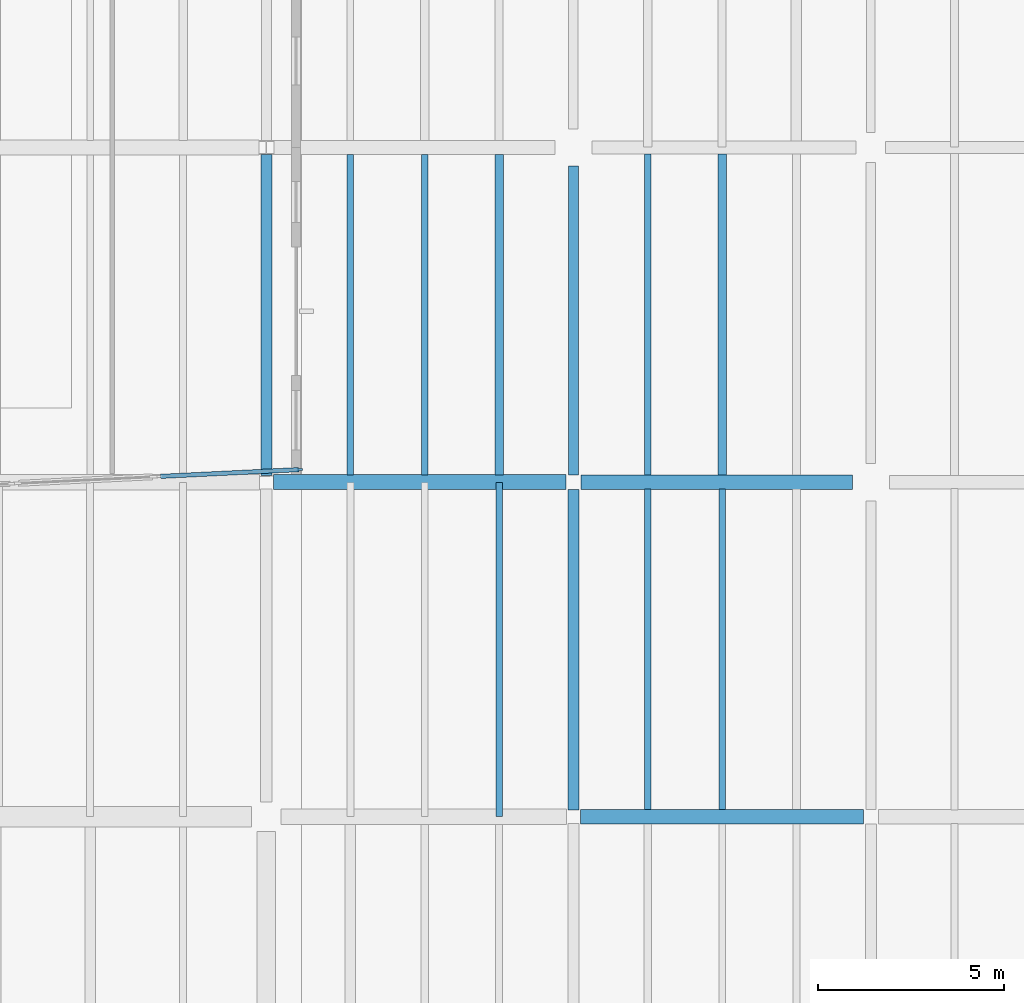
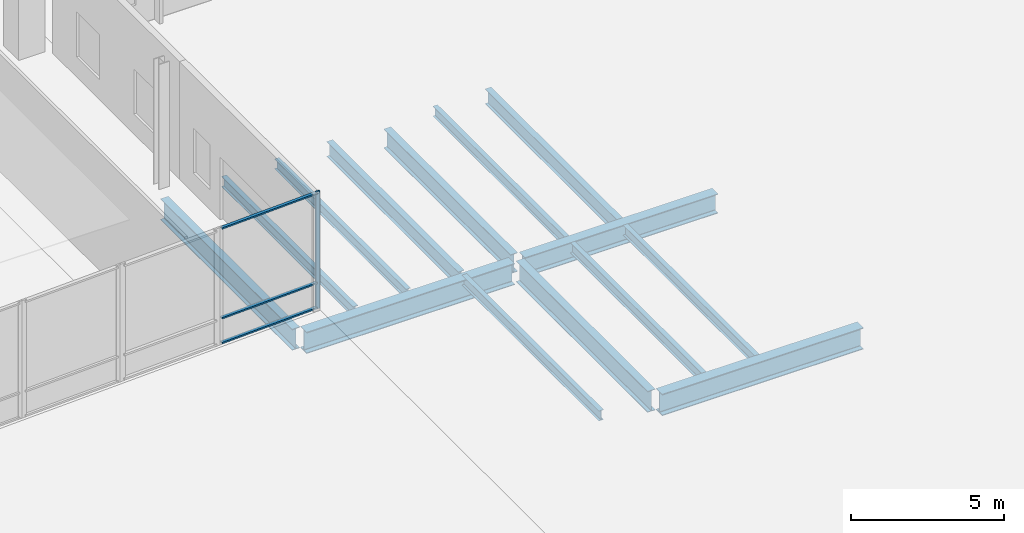
# One storey, part 31 of 88: 14 beams, 4 members, 1 element without a shape of its own.
"""IFC4 building model written with IfcOpenShell, lengths in metres."""

from ifc_helpers import new_model, si_unit, direction, frame, origin, origin_2d, place, context, subcontext, project, spatial, rectangle, i_section, extrude, material, material_profile, profile_set, type_object, element, aggregate, save


model = new_model("IFC4")

# Units and contexts
model_context = context("Model", 3, precision=1e-05, world=origin(), true_north=direction((0.0, 1.0)))
body_context = subcontext(model_context, "Body", "Model", "MODEL_VIEW")
ifc_project = project(units=[si_unit("LENGTHUNIT", "METRE"), si_unit("AREAUNIT", "SQUARE_METRE"), si_unit("VOLUMEUNIT", "CUBIC_METRE"), si_unit("PLANEANGLEUNIT", "RADIAN"), si_unit("MASSUNIT", "GRAM", prefix="KILO")], contexts=[model_context])

# Site, building, storey
site_placement = place(None, origin())
site = spatial("IfcSite", under=ifc_project, at=site_placement, CompositionType="ELEMENT")
building_placement = place(site_placement, origin())
building = spatial("IfcBuilding", under=site, at=building_placement, Name="Trimount Lyric Opera House", CompositionType="ELEMENT")
storey_placement = place(building_placement, origin())
storey = spatial("IfcBuildingStorey", under=building, at=storey_placement, Name="L00", CompositionType="ELEMENT", Elevation=0.0)

# Beams
ifc_material_1 = material(Name="Steel ASTM A992 Grade 50", Category="steel")
ifc_material_profile_1 = material_profile(ifc_material_1, i_section(OverallWidth=0.40087890625, OverallDepth=0.861083984375, WebThickness=0.019775390625, FlangeThickness=0.032470703125, FilletRadius=0.02001953125, at=origin_2d()), Name="W33X221")
ifc_profile_set_1 = profile_set([ifc_material_profile_1], Name="Steel ASTM A992 Grade 50")
beam_type_1 = type_object("IfcBeamType", Name="B-04", PredefinedType="BEAM", material=ifc_profile_set_1)
beam_1_placement = place(storey_placement, frame((122.1865234375, 17.0, -0.73046875), z_axis=(1.0, 0.0, 0.0), x_axis=(0.0, 1.0, 0.0)))
element("IfcBeam", 1, at=beam_1_placement, inside=storey, type_object=beam_type_1, Name="L00 girder X-0048", PredefinedType="BEAM", context=body_context, shape_type="SweptSolid", body=[
    extrude(i_section(OverallWidth=0.40087890625, OverallDepth=0.861083984375, WebThickness=0.019775390625, FlangeThickness=0.032470703125, FilletRadius=0.02001953125, at=origin_2d()), origin(), (0.0, 0.0, 1.0), 7.614013671875),
])
beam_2_placement = place(storey_placement, frame((113.926513671875, 26.0, -0.810546875), z_axis=(1.0, 0.0, 0.0), x_axis=(0.0, 1.0, 0.0)))
element("IfcBeam", 2, at=beam_2_placement, inside=storey, type_object=beam_type_1, Name="L00 girder X-0062", PredefinedType="BEAM", context=body_context, shape_type="SweptSolid", body=[
    extrude(i_section(OverallWidth=0.40087890625, OverallDepth=0.861083984375, WebThickness=0.019775390625, FlangeThickness=0.032470703125, FilletRadius=0.02001953125, at=origin_2d()), origin(), (0.0, 0.0, 1.0), 7.8740234375),
])
ifc_material_2 = material(Name="Steel ASTM A992 Grade 50", Category="steel")
ifc_material_profile_2 = material_profile(ifc_material_2, i_section(OverallWidth=0.2919921875, OverallDepth=0.845947265625, WebThickness=0.015380859375, FlangeThickness=0.0244140625, FilletRadius=0.01806640625, at=origin_2d()), Name="W33X141")
ifc_profile_set_2 = profile_set([ifc_material_profile_2], Name="Steel ASTM A992 Grade 50")
beam_type_2 = type_object("IfcBeamType", Name="B-05", PredefinedType="BEAM", material=ifc_profile_set_2)
for number, where, z_axis, x_axis, name in (
    (3, (113.739990234375, 26.18408203125, -0.802978515625), (0.0, 1.0, 0.0), (-1.0, 0.0, 0.0), "L00 girder Y-0372"),
    (4, (122.0, 17.18408203125, -0.722900390625), (0.0, 1.0, 0.0), (-1.0, 0.0, 0.0), "L00 girder Y-0383"),
):
    element("IfcBeam", number, at=place(storey_placement, frame(where, z_axis=z_axis, x_axis=x_axis)), inside=storey, type_object=beam_type_2, Name=name, PredefinedType="BEAM", context=body_context, shape_type="SweptSolid", body=[
        extrude(i_section(OverallWidth=0.2919921875, OverallDepth=0.845947265625, WebThickness=0.015380859375, FlangeThickness=0.0244140625, FilletRadius=0.01806640625, at=origin_2d()), origin(), (0.0, 0.0, 1.0), 8.622802734375),
    ])
ifc_material_3 = material(Name="Steel ASTM A992 Grade 50", Category="steel")
ifc_material_profile_3 = material_profile(ifc_material_3, i_section(OverallWidth=0.382080078125, OverallDepth=0.779052734375, WebThickness=0.01806640625, FlangeThickness=0.0302734375, FilletRadius=0.01904296875, at=origin_2d()), Name="W30X191")
ifc_profile_set_3 = profile_set([ifc_material_profile_3], Name="Steel ASTM A992 Grade 50")
beam_type_3 = type_object("IfcBeamType", Name="B-06", PredefinedType="BEAM", material=ifc_profile_set_3)
beam_3_placement = place(storey_placement, frame((122.199462890625, 26.0, -0.689453125), z_axis=(1.0, 0.0, 0.0), x_axis=(0.0, 1.0, 0.0)))
element("IfcBeam", 5, at=beam_3_placement, inside=storey, type_object=beam_type_3, Name="L00 girder X-0063", PredefinedType="BEAM", context=body_context, shape_type="SweptSolid", body=[
    extrude(i_section(OverallWidth=0.382080078125, OverallDepth=0.779052734375, WebThickness=0.01806640625, FlangeThickness=0.0302734375, FilletRadius=0.01904296875, at=origin_2d()), origin(), (0.0, 0.0, 1.0), 7.300537109375),
])
ifc_material_4 = material(Name="Steel ASTM A992 Grade 50", Category="steel")
ifc_material_profile_4 = material_profile(ifc_material_4, i_section(OverallWidth=0.26708984375, OverallDepth=0.761962890625, WebThickness=0.014404296875, FlangeThickness=0.021484375, FilletRadius=0.01708984375, at=origin_2d()), Name="W30X116")
ifc_profile_set_4 = profile_set([ifc_material_profile_4], Name="Steel ASTM A992 Grade 50")
beam_type_4 = type_object("IfcBeamType", Name="B-07", PredefinedType="BEAM", material=ifc_profile_set_4)
beam_4_placement = place(storey_placement, frame((122.0, 26.193115234375, -0.680908203125), z_axis=(0.0, 1.0, 0.0), x_axis=(-1.0, 0.0, 0.0)))
element("IfcBeam", 6, at=beam_4_placement, inside=storey, type_object=beam_type_4, Name="L00 girder Y-0384", PredefinedType="BEAM", context=body_context, shape_type="SweptSolid", body=[
    extrude(i_section(OverallWidth=0.26708984375, OverallDepth=0.761962890625, WebThickness=0.014404296875, FlangeThickness=0.021484375, FilletRadius=0.01708984375, at=origin_2d()), origin(), (0.0, 0.0, 1.0), 8.306884765625),
])
ifc_material_5 = material(Name="Steel ASTM A992 Grade 50", Category="steel")
ifc_material_profile_5 = material_profile(ifc_material_5, i_section(OverallWidth=0.22802734375, OverallDepth=0.60205078125, WebThickness=0.010498046875, FlangeThickness=0.014892578125, FilletRadius=0.012939453125, at=origin_2d()), Name="W24X68")
ifc_profile_set_5 = profile_set([ifc_material_profile_5], Name="Steel ASTM A992 Grade 50")
beam_type_5 = type_object("IfcBeamType", Name="J-01", PredefinedType="BEAM", material=ifc_profile_set_5)
beam_5_placement = place(storey_placement, frame((120.0, 26.196533203125, -0.60107421875), z_axis=(0.0, 1.0, 0.0), x_axis=(-1.0, 0.0, 0.0)))
element("IfcBeam", 7, at=beam_5_placement, inside=storey, type_object=beam_type_5, Name="L00 composite floor joist 0347", PredefinedType="BEAM", context=body_context, shape_type="SweptSolid", body=[
    extrude(i_section(OverallWidth=0.22802734375, OverallDepth=0.60205078125, WebThickness=0.010498046875, FlangeThickness=0.014892578125, FilletRadius=0.012939453125, at=origin_2d()), origin(), (0.0, 0.0, 1.0), 8.616455078125),
])
beam_6_placement = place(storey_placement, frame((126.0, 26.18701171875, -0.60107421875), z_axis=(0.0, 1.0, 0.0), x_axis=(-1.0, 0.0, 0.0)))
element("IfcBeam", 8, at=beam_6_placement, inside=storey, type_object=beam_type_5, Name="L00 composite floor joist 0379", PredefinedType="BEAM", context=body_context, shape_type="SweptSolid", body=[
    extrude(i_section(OverallWidth=0.22802734375, OverallDepth=0.60205078125, WebThickness=0.010498046875, FlangeThickness=0.014892578125, FilletRadius=0.012939453125, at=origin_2d()), origin(), (0.0, 0.0, 1.0), 8.638916015625),
])
ifc_material_6 = material(Name="Steel ASTM A992 Grade 50", Category="steel")
ifc_material_profile_6 = material_profile(ifc_material_6, i_section(OverallWidth=0.180908203125, OverallDepth=0.4169921875, WebThickness=0.010986328125, FlangeThickness=0.018310546875, FilletRadius=0.010986328125, at=origin_2d()), Name="W16X57")
ifc_profile_set_6 = profile_set([ifc_material_profile_6], Name="Steel ASTM A992 Grade 50")
beam_type_6 = type_object("IfcBeamType", Name="J-05", PredefinedType="BEAM", material=ifc_profile_set_6)
for number, where, z_axis, x_axis, name in (
    (9, (116.0, 26.196533203125, -0.508544921875), (0.0, 1.0, 0.0), (-1.0, 0.0, 0.0), "L00 composite floor joist 0345"),
    (10, (124.0, 17.196533203125, -0.508544921875), (0.0, 1.0, 0.0), (-1.0, 0.0, 0.0), "L00 composite floor joist 0375"),
):
    element("IfcBeam", number, at=place(storey_placement, frame(where, z_axis=z_axis, x_axis=x_axis)), inside=storey, type_object=beam_type_6, Name=name, PredefinedType="BEAM", context=body_context, shape_type="SweptSolid", body=[
        extrude(i_section(OverallWidth=0.180908203125, OverallDepth=0.4169921875, WebThickness=0.010986328125, FlangeThickness=0.018310546875, FilletRadius=0.010986328125, at=origin_2d()), origin(), (0.0, 0.0, 1.0), 8.616455078125),
    ])
ifc_material_7 = material(Name="Steel ASTM A992 Grade 50", Category="steel")
ifc_material_profile_7 = material_profile(ifc_material_7, i_section(OverallWidth=0.177978515625, OverallDepth=0.404052734375, WebThickness=0.007568359375, FlangeThickness=0.010986328125, FilletRadius=0.010009765625, at=origin_2d()), Name="W16X36")
ifc_profile_set_7 = profile_set([ifc_material_profile_7], Name="Steel ASTM A992 Grade 50")
beam_type_7 = type_object("IfcBeamType", Name="J-06", PredefinedType="BEAM", material=ifc_profile_set_7)
beam_7_placement = place(storey_placement, frame((120.0, 17.011962890625, -0.501953125), z_axis=(0.0, 1.0, 0.0), x_axis=(-1.0, 0.0, 0.0)))
element("IfcBeam", 11, at=beam_7_placement, inside=storey, type_object=beam_type_7, Name="L00 composite floor joist 0344", PredefinedType="BEAM", context=body_context, shape_type="SweptSolid", body=[
    extrude(i_section(OverallWidth=0.177978515625, OverallDepth=0.404052734375, WebThickness=0.007568359375, FlangeThickness=0.010986328125, FilletRadius=0.010009765625, at=origin_2d()), origin(), (0.0, 0.0, 1.0), 8.97607421875),
])
for number, where, z_axis, x_axis, name in (
    (12, (118.0, 26.196533203125, -0.501953125), (0.0, 1.0, 0.0), (-1.0, 0.0, 0.0), "L00 composite floor joist 0346"),
    (13, (126.0, 17.196533203125, -0.501953125), (0.0, 1.0, 0.0), (-1.0, 0.0, 0.0), "L00 composite floor joist 0376"),
):
    element("IfcBeam", number, at=place(storey_placement, frame(where, z_axis=z_axis, x_axis=x_axis)), inside=storey, type_object=beam_type_7, Name=name, PredefinedType="BEAM", context=body_context, shape_type="SweptSolid", body=[
        extrude(i_section(OverallWidth=0.177978515625, OverallDepth=0.404052734375, WebThickness=0.007568359375, FlangeThickness=0.010986328125, FilletRadius=0.010009765625, at=origin_2d()), origin(), (0.0, 0.0, 1.0), 8.616455078125),
    ])
beam_8_placement = place(storey_placement, frame((124.0, 26.18701171875, -0.501953125), z_axis=(0.0, 1.0, 0.0), x_axis=(-1.0, 0.0, 0.0)))
element("IfcBeam", 14, at=beam_8_placement, inside=storey, type_object=beam_type_7, Name="L00 composite floor joist 0378", PredefinedType="BEAM", context=body_context, shape_type="SweptSolid", body=[
    extrude(i_section(OverallWidth=0.177978515625, OverallDepth=0.404052734375, WebThickness=0.007568359375, FlangeThickness=0.010986328125, FilletRadius=0.010009765625, at=origin_2d()), origin(), (0.0, 0.0, 1.0), 8.638916015625),
])

# Curtain wall, members
ifc_material_8 = material(Name="Thermally Broken Aluminium and Low-E Glass", Category="aluminium")
curtain_wall_type = type_object("IfcCurtainWallType", Name="CW-01", PredefinedType="NOTDEFINED", material=ifc_material_8)
curtain_wall_placement = place(storey_placement, origin())
curtain_wall = element("IfcCurtainWall", 15, at=curtain_wall_placement, inside=storey, type_object=curtain_wall_type, Name="L00 curtain wall 014", PredefinedType="NOTDEFINED")
ifc_material_9 = material(Name="Anodised Aluminium 6063-T6", Category="aluminium")
ifc_material_profile_8 = material_profile(ifc_material_9, rectangle(XDim=0.06005859375, YDim=0.14990234375, at=origin_2d()), Name="ALU-MULL-60X150")
ifc_profile_set_8 = profile_set([ifc_material_profile_8], Name="Anodised Aluminium 6063-T6")
member_type_1 = type_object("IfcMemberType", Name="ML-03", PredefinedType="MULLION", material=ifc_profile_set_8)
member_1_placement = place(storey_placement, frame((114.64306640625, 26.338623046875, 0.0), z_axis=(0.0, 0.0, 1.0), x_axis=(0.04870354186, -0.998813278351, 0.0)))
member_1 = element("IfcMember", 16, at=member_1_placement, type_object=member_type_1, Name="CW-01 mullion 1", PredefinedType="MULLION", context=body_context, shape_type="SweptSolid", body=[
    extrude(rectangle(XDim=0.06005859375, YDim=0.14990234375, at=origin_2d()), origin(), (0.0, 0.0, 1.0), 4.699951171875),
])
ifc_material_10 = material(Name="Anodised Aluminium 6063-T6", Category="aluminium")
ifc_material_profile_9 = material_profile(ifc_material_10, rectangle(XDim=0.114990234375, YDim=0.06005859375, at=origin_2d()), Name="ALU-TRAN-60X115")
ifc_profile_set_9 = profile_set([ifc_material_profile_9], Name="Anodised Aluminium 6063-T6")
member_type_2 = type_object("IfcMemberType", Name="TR-03", PredefinedType="USERDEFINED", material=ifc_profile_set_9)
member_2_placement = place(storey_placement, frame((114.613037109375, 26.337158203125, 0.0576171875), z_axis=(-0.998813285844, -0.048703388191, 0.0), x_axis=(0.048703388191, -0.998813285844, 0.0)))
member_2 = element("IfcMember", 17, at=member_2_placement, type_object=member_type_2, Name="CW-01 transom 1.1", ObjectType="TRANSOM", PredefinedType="USERDEFINED", context=body_context, shape_type="SweptSolid", body=[
    extrude(rectangle(XDim=0.114990234375, YDim=0.06005859375, at=origin_2d()), origin(), (0.0, 0.0, 1.0), 3.719482421875),
])
member_3_placement = place(storey_placement, frame((114.613037109375, 26.337158203125, 1.050048828125), z_axis=(-0.998813285844, -0.048703388191, 0.0), x_axis=(0.048703388191, -0.998813285844, 0.0)))
member_3 = element("IfcMember", 18, at=member_3_placement, type_object=member_type_2, Name="CW-01 transom 1.2", ObjectType="TRANSOM", PredefinedType="USERDEFINED", context=body_context, shape_type="SweptSolid", body=[
    extrude(rectangle(XDim=0.114990234375, YDim=0.06005859375, at=origin_2d()), origin(), (0.0, 0.0, 1.0), 3.719482421875),
])
member_4_placement = place(storey_placement, frame((114.613037109375, 26.337158203125, 4.642578125), z_axis=(-0.998813285844, -0.048703388191, 0.0), x_axis=(0.048703388191, -0.998813285844, 0.0)))
member_4 = element("IfcMember", 19, at=member_4_placement, type_object=member_type_2, Name="CW-01 transom 1.3", ObjectType="TRANSOM", PredefinedType="USERDEFINED", context=body_context, shape_type="SweptSolid", body=[
    extrude(rectangle(XDim=0.114990234375, YDim=0.06005859375, at=origin_2d()), origin(), (0.0, 0.0, 1.0), 3.719482421875),
])
aggregate(curtain_wall, [member_1, member_2, member_3, member_4])

save(model, "model.ifc")
